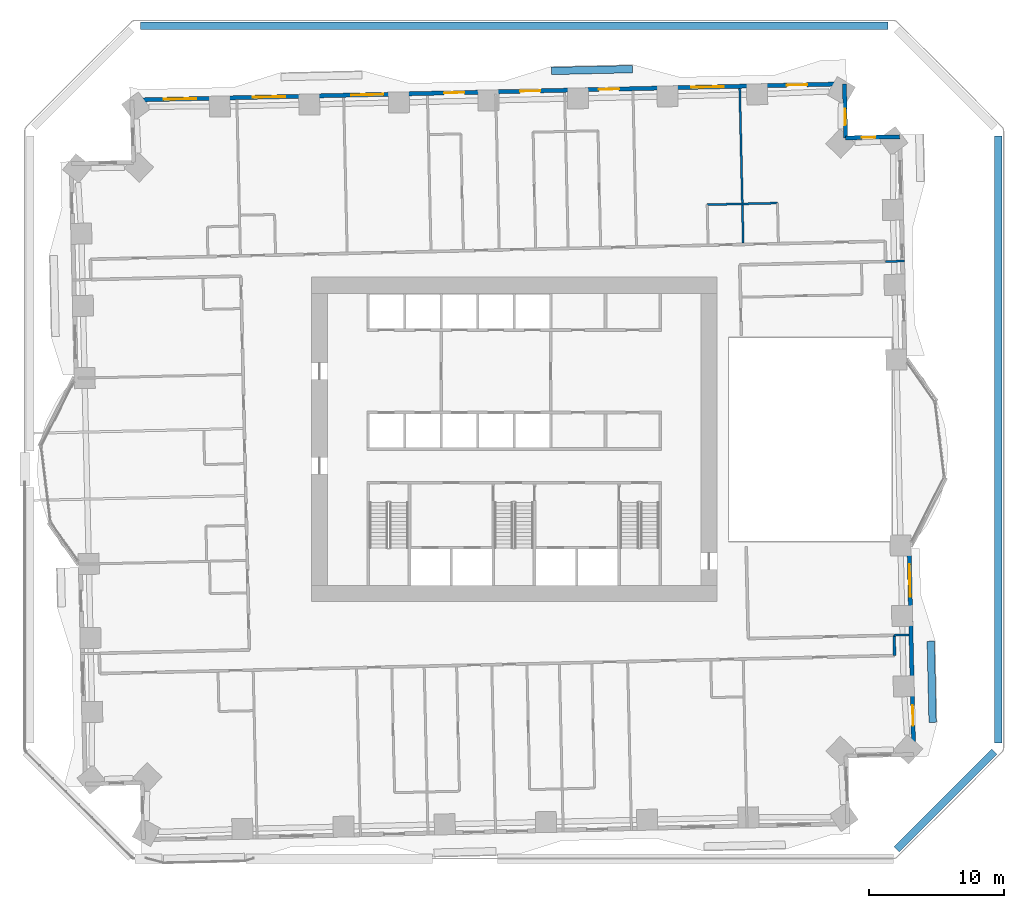
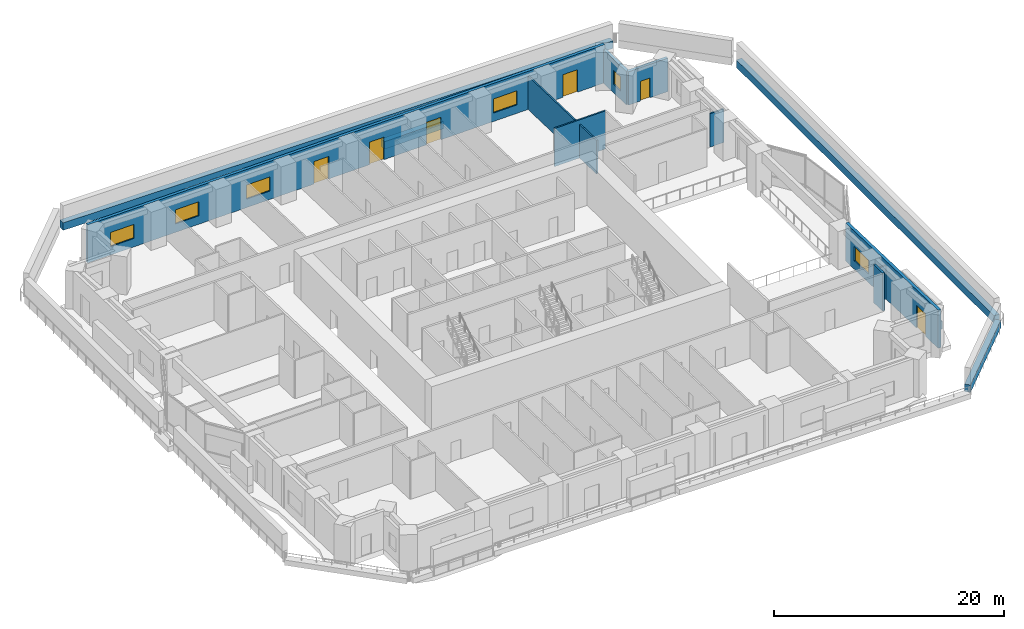
# One storey, part 16 of 21: 14 walls, 6 doors, 6 windows, 12 openings.
"""IFC4 building model written with IfcOpenShell, lengths in metres."""

from ifc_helpers import new_model, si_unit, direction, frame, frame_2d, origin, place, context, subcontext, project, spatial, rectangle, extrude, material, layer, layer_set, type_object, element, fill, save


model = new_model("IFC4")

# Units and contexts
model_context = context("Model", 3, precision=1e-05, world=origin(), true_north=direction((0.0, 1.0)))
body_context = subcontext(model_context, "Body", "Model", "MODEL_VIEW")
ifc_project = project(units=[si_unit("LENGTHUNIT", "METRE"), si_unit("AREAUNIT", "SQUARE_METRE"), si_unit("VOLUMEUNIT", "CUBIC_METRE"), si_unit("PLANEANGLEUNIT", "RADIAN"), si_unit("MASSUNIT", "GRAM", prefix="KILO")], contexts=[model_context])

# Site, building, storey
site_placement = place(None, origin())
site = spatial("IfcSite", under=ifc_project, at=site_placement, CompositionType="ELEMENT")
building_placement = place(site_placement, origin())
building = spatial("IfcBuilding", under=site, at=building_placement, Name="Mangrove Gate Tower", CompositionType="ELEMENT")
storey_placement = place(building_placement, frame((0.0, 0.0, 29.5)))
storey = spatial("IfcBuildingStorey", under=building, at=storey_placement, Name="L06", CompositionType="ELEMENT", Elevation=29.5)

# Wall
ifc_material_1 = material(Name="Gypsum board on steel stud, EI 60", Category="steel")
ifc_layer_1 = layer(ifc_material_1, 0.199951171875)
ifc_layer_set_1 = layer_set([ifc_layer_1], Name="Corridor wall EI 60")
wall_type_1 = type_object("IfcWallType", Name="Corridor wall EI 60", PredefinedType="PARTITIONING", material=ifc_layer_set_1)
wall_1_placement = place(storey_placement, frame((28.133056640625, -15.97900390625, 0.0), z_axis=(0.0, 0.0, 1.0), x_axis=(-0.022632637625, 0.99974384905, 0.0)))
element("IfcWall", 1, at=wall_1_placement, inside=storey, type_object=wall_type_1, Name="WALL-L06-020", PredefinedType="PARTITIONING", context=body_context, shape_type="SweptSolid", body=[
    extrude(rectangle(XDim=1.49951171875, YDim=0.199951171875, at=frame_2d((0.749755859375, 0.0))), origin(), (0.0, 0.0, 1.0), 4.050048828125),
])

# Wall, openings, door, window
ifc_material_2 = material(Name="Limestone", Category="masonry")
ifc_layer_2 = layer(ifc_material_2, 0.0400390625, Name="Limestone cladding")
ifc_material_3 = material(Name="Ventilated air gap")
ifc_layer_3 = layer(ifc_material_3, 0.0400390625, Name="Ventilated cavity")
ifc_material_4 = material(Name="Mineral wool insulation")
ifc_layer_4 = layer(ifc_material_4, 0.06005859375, Name="Insulation")
ifc_material_5 = material(Name="Breather membrane")
ifc_layer_5 = layer(ifc_material_5, 0.001953125, Name="Breather membrane")
ifc_material_6 = material(Name="Concrete C20/25 blockwork", Category="masonry")
ifc_layer_6 = layer(ifc_material_6, 0.14990234375, Name="Blockwork backing wall")
ifc_material_7 = material(Name="Gypsum plaster")
ifc_layer_7 = layer(ifc_material_7, 0.008056640625, Name="Internal plaster")
ifc_layer_set_2 = layer_set([ifc_layer_2, ifc_layer_3, ifc_layer_4, ifc_layer_5, ifc_layer_6, ifc_layer_7], Name="External wall 300 limestone cladding")
wall_type_2 = type_object("IfcWallType", Name="External wall 300 limestone cladding", PredefinedType="SOLIDWALL", material=ifc_layer_set_2)
wall_2_placement = place(storey_placement, frame((29.549072265625, -23.299072265625, 0.0), z_axis=(0.0, 0.0, 1.0), x_axis=(-0.022670336976, 0.999742994885, 0.0)))
wall_2 = element("IfcWall", 2, at=wall_2_placement, inside=storey, type_object=wall_type_2, Name="WALL-L06-E0", PredefinedType="SOLIDWALL", context=body_context, shape_type="SweptSolid", body=[
    extrude(rectangle(XDim=15.529052734375, YDim=0.300048828125, at=frame_2d((7.7646484375, 0.0))), origin(), (0.0, 0.0, 1.0), 4.050048828125),
])
opening_1_placement = place(wall_2_placement, frame((2.133056640625, 0.0, 0.0)))
opening_1 = element("IfcOpeningElement", 3, at=opening_1_placement, cuts=wall_2, Name="Opening BD1", PredefinedType="OPENING", context=body_context, shape_type="SweptSolid", body=[
    extrude(rectangle(XDim=1.5, YDim=2.39990234375, at=frame_2d((0.75, 1.199951171875))), frame((0.0, 0.159912109375, 0.0), z_axis=(0.0, -1.0, 0.0), x_axis=(1.0, 0.0, 0.0)), (0.0, 0.0, 1.0), 0.320068359375),
])
opening_2_placement = place(wall_2_placement, frame((11.669921875, 0.0, 0.89990234375)))
opening_2 = element("IfcOpeningElement", 4, at=opening_2_placement, cuts=wall_2, Name="Opening W2", PredefinedType="OPENING", context=body_context, shape_type="SweptSolid", body=[
    extrude(rectangle(XDim=2.39990234375, YDim=1.5, at=frame_2d((1.199951171875, 0.75))), frame((0.0, 0.159912109375, 0.0), z_axis=(0.0, -1.0, 0.0), x_axis=(1.0, 0.0, 0.0)), (0.0, 0.0, 1.0), 0.320068359375),
])
ifc_material_8 = material(Name="Aluminium frame with laminated clear glass", Category="aluminium")
door_type_1 = type_object("IfcDoorType", Name="Balcony sliding door 1500x2400", OperationType="SLIDING_TO_LEFT", PredefinedType="DOOR", material=ifc_material_8)
door_1_placement = place(opening_1_placement, origin())
door_1 = element("IfcDoor", 5, at=door_1_placement, inside=storey, type_object=door_type_1, Name="DOOR-L06-E0-1", OperationType="SLIDING_TO_LEFT", OverallHeight=2.39990234375, OverallWidth=1.5, PredefinedType="DOOR", context=body_context, shape_type="SweptSolid", body=[
    extrude(rectangle(XDim=1.5, YDim=2.39990234375, at=frame_2d((0.75, 1.199951171875))), frame((0.0, 0.02490234375, 0.0), z_axis=(0.0, -1.0, 0.0), x_axis=(1.0, 0.0, 0.0)), (0.0, 0.0, 1.0), 0.050048828125),
])
fill(opening_1, door_1)
ifc_material_9 = material(Name="Aluminium frame with double-glazed low-e glass", Category="aluminium")
window_type_1 = type_object("IfcWindowType", Name="Corner room window 2400x1500", PartitioningType="DOUBLE_PANEL_VERTICAL", PredefinedType="WINDOW", material=ifc_material_9)
window_1_placement = place(opening_2_placement, origin())
window_1 = element("IfcWindow", 6, at=window_1_placement, inside=storey, type_object=window_type_1, Name="WIN-L06-E0-2", OverallHeight=1.5, OverallWidth=2.39990234375, PartitioningType="DOUBLE_PANEL_VERTICAL", PredefinedType="WINDOW", context=body_context, shape_type="SweptSolid", body=[
    extrude(rectangle(XDim=2.39990234375, YDim=1.5, at=frame_2d((1.199951171875, 0.75))), frame((0.0, 0.030029296875, 0.0), z_axis=(0.0, -1.0, 0.0), x_axis=(1.0, 0.0, 0.0)), (0.0, 0.0, 1.0), 0.06005859375),
])
fill(opening_2, window_1)

# Wall, opening, door
wall_3_placement = place(storey_placement, frame((28.511962890625, 22.388916015625, 0.0), z_axis=(0.0, 0.0, 1.0), x_axis=(-0.999747725427, -0.022460754759, 0.0)))
wall_3 = element("IfcWall", 7, at=wall_3_placement, inside=storey, type_object=wall_type_2, Name="WALL-L06-N3", PredefinedType="SOLIDWALL", context=body_context, shape_type="SweptSolid", body=[
    extrude(rectangle(XDim=4.0, YDim=0.300048828125, at=frame_2d((2.0, 0.0))), origin(), (0.0, 0.0, 1.0), 3.550048828125),
])
opening_3_placement = place(wall_3_placement, frame((1.800048828125, 0.0, 0.0)))
opening_3 = element("IfcOpeningElement", 8, at=opening_3_placement, cuts=wall_3, Name="Opening MD1", PredefinedType="OPENING", context=body_context, shape_type="SweptSolid", body=[
    extrude(rectangle(XDim=1.0, YDim=2.10009765625, at=frame_2d((0.5, 1.050048828125))), frame((0.0, 0.159912109375, 0.0), z_axis=(0.0, -1.0, 0.0), x_axis=(1.0, 0.0, 0.0)), (0.0, 0.0, 1.0), 0.320068359375),
])
ifc_material_10 = material(Name="Aluminium frame with laminated clear glass", Category="aluminium")
door_type_2 = type_object("IfcDoorType", Name="Roof maintenance door 1000x2100", OperationType="SINGLE_SWING_LEFT", PredefinedType="DOOR", material=ifc_material_10)
door_2_placement = place(opening_3_placement, origin())
door_2 = element("IfcDoor", 9, at=door_2_placement, inside=storey, type_object=door_type_2, Name="DOOR-L06-N3-1", OperationType="SINGLE_SWING_LEFT", OverallHeight=2.10009765625, OverallWidth=1.0, PredefinedType="DOOR", context=body_context, shape_type="SweptSolid", body=[
    extrude(rectangle(XDim=1.0, YDim=2.10009765625, at=frame_2d((0.5, 1.050048828125))), frame((0.0, 0.02490234375, 0.0), z_axis=(0.0, -1.0, 0.0), x_axis=(1.0, 0.0, 0.0)), (0.0, 0.0, 1.0), 0.050048828125),
])
fill(opening_3, door_2)

# Wall, opening, window
wall_4_placement = place(storey_placement, frame((24.512939453125, 22.299072265625, 0.0), z_axis=(0.0, 0.0, 1.0), x_axis=(-0.022460754759, 0.999747725427, 0.0)))
wall_4 = element("IfcWall", 10, at=wall_4_placement, inside=storey, type_object=wall_type_2, Name="WALL-L06-E4", PredefinedType="SOLIDWALL", context=body_context, shape_type="SweptSolid", body=[
    extrude(rectangle(XDim=4.0, YDim=0.300048828125, at=frame_2d((2.0, 0.0))), origin(), (0.0, 0.0, 1.0), 3.550048828125),
])
opening_4_placement = place(wall_4_placement, frame((0.9599609375, 0.0, 0.89990234375)))
opening_4 = element("IfcOpeningElement", 11, at=opening_4_placement, cuts=wall_4, Name="Opening W1", PredefinedType="OPENING", context=body_context, shape_type="SweptSolid", body=[
    extrude(rectangle(XDim=1.199951171875, YDim=1.5, at=frame_2d((0.60009765625, 0.75))), frame((0.0, 0.159912109375, 0.0), z_axis=(0.0, -1.0, 0.0), x_axis=(1.0, 0.0, 0.0)), (0.0, 0.0, 1.0), 0.320068359375),
])
ifc_material_11 = material(Name="Aluminium frame with double-glazed low-e glass", Category="aluminium")
window_type_2 = type_object("IfcWindowType", Name="Side lite 1200x1500", PartitioningType="SINGLE_PANEL", PredefinedType="WINDOW", material=ifc_material_11)
window_2_placement = place(opening_4_placement, origin())
window_2 = element("IfcWindow", 12, at=window_2_placement, inside=storey, type_object=window_type_2, Name="WIN-L06-E4-1", OverallHeight=1.5, OverallWidth=1.199951171875, PartitioningType="SINGLE_PANEL", PredefinedType="WINDOW", context=body_context, shape_type="SweptSolid", body=[
    extrude(rectangle(XDim=1.199951171875, YDim=1.5, at=frame_2d((0.60009765625, 0.75))), frame((0.0, 0.030029296875, 0.0), z_axis=(0.0, -1.0, 0.0), x_axis=(1.0, 0.0, 0.0)), (0.0, 0.0, 1.0), 0.06005859375),
])
fill(opening_4, window_2)

# Wall, openings, doors, windows
wall_5_placement = place(storey_placement, frame((24.423095703125, 26.298095703125, 0.0), z_axis=(0.0, 0.0, 1.0), x_axis=(-0.999742433108, -0.022695097355, 0.0)))
wall_5 = element("IfcWall", 13, at=wall_5_placement, inside=storey, type_object=wall_type_2, Name="WALL-L06-N5", PredefinedType="SOLIDWALL", context=body_context, shape_type="SweptSolid", body=[
    extrude(rectangle(XDim=52.70068359375, YDim=0.300048828125, at=frame_2d((26.350341796875, 0.0))), origin(), (0.0, 0.0, 1.0), 4.050048828125),
])
opening_5_placement = place(wall_5_placement, frame((2.757080078125, 0.0, 0.0)))
opening_5 = element("IfcOpeningElement", 14, at=opening_5_placement, cuts=wall_5, Name="Opening BD1", PredefinedType="OPENING", context=body_context, shape_type="SweptSolid", body=[
    extrude(rectangle(XDim=1.5, YDim=2.39990234375, at=frame_2d((0.75, 1.199951171875))), frame((0.0, 0.159912109375, 0.0), z_axis=(0.0, -1.0, 0.0), x_axis=(1.0, 0.0, 0.0)), (0.0, 0.0, 1.0), 0.320068359375),
])
opening_6_placement = place(wall_5_placement, frame((8.93701171875, 0.0, 0.89990234375)))
opening_6 = element("IfcOpeningElement", 15, at=opening_6_placement, cuts=wall_5, Name="Opening W2", PredefinedType="OPENING", context=body_context, shape_type="SweptSolid", body=[
    extrude(rectangle(XDim=2.39990234375, YDim=1.5, at=frame_2d((1.199951171875, 0.75))), frame((0.0, 0.159912109375, 0.0), z_axis=(0.0, -1.0, 0.0), x_axis=(1.0, 0.0, 0.0)), (0.0, 0.0, 1.0), 0.320068359375),
])
opening_7_placement = place(wall_5_placement, frame((16.675048828125, 0.0, 0.0)))
opening_7 = element("IfcOpeningElement", 16, at=opening_7_placement, cuts=wall_5, Name="Opening BD1", PredefinedType="OPENING", context=body_context, shape_type="SweptSolid", body=[
    extrude(rectangle(XDim=1.5, YDim=2.39990234375, at=frame_2d((0.75, 1.199951171875))), frame((0.0, 0.159912109375, 0.0), z_axis=(0.0, -1.0, 0.0), x_axis=(1.0, 0.0, 0.0)), (0.0, 0.0, 1.0), 0.320068359375),
])
opening_8_placement = place(wall_5_placement, frame((22.5, 0.0, 0.0)))
opening_8 = element("IfcOpeningElement", 17, at=opening_8_placement, cuts=wall_5, Name="Opening BD1", PredefinedType="OPENING", context=body_context, shape_type="SweptSolid", body=[
    extrude(rectangle(XDim=1.5, YDim=2.39990234375, at=frame_2d((0.75, 1.199951171875))), frame((0.0, 0.159912109375, 0.0), z_axis=(0.0, -1.0, 0.0), x_axis=(1.0, 0.0, 0.0)), (0.0, 0.0, 1.0), 0.320068359375),
])
opening_9_placement = place(wall_5_placement, frame((28.113037109375, 0.0, 0.0)))
opening_9 = element("IfcOpeningElement", 18, at=opening_9_placement, cuts=wall_5, Name="Opening BD1", PredefinedType="OPENING", context=body_context, shape_type="SweptSolid", body=[
    extrude(rectangle(XDim=1.5, YDim=2.39990234375, at=frame_2d((0.75, 1.199951171875))), frame((0.0, 0.159912109375, 0.0), z_axis=(0.0, -1.0, 0.0), x_axis=(1.0, 0.0, 0.0)), (0.0, 0.0, 1.0), 0.320068359375),
])
opening_10_placement = place(wall_5_placement, frame((34.10009765625, 0.0, 0.89990234375)))
opening_10 = element("IfcOpeningElement", 19, at=opening_10_placement, cuts=wall_5, Name="Opening W2", PredefinedType="OPENING", context=body_context, shape_type="SweptSolid", body=[
    extrude(rectangle(XDim=2.39990234375, YDim=1.5, at=frame_2d((1.199951171875, 0.75))), frame((0.0, 0.159912109375, 0.0), z_axis=(0.0, -1.0, 0.0), x_axis=(1.0, 0.0, 0.0)), (0.0, 0.0, 1.0), 0.320068359375),
])
opening_11_placement = place(wall_5_placement, frame((41.363037109375, 0.0, 0.89990234375)))
opening_11 = element("IfcOpeningElement", 20, at=opening_11_placement, cuts=wall_5, Name="Opening W2", PredefinedType="OPENING", context=body_context, shape_type="SweptSolid", body=[
    extrude(rectangle(XDim=2.39990234375, YDim=1.5, at=frame_2d((1.199951171875, 0.75))), frame((0.0, 0.159912109375, 0.0), z_axis=(0.0, -1.0, 0.0), x_axis=(1.0, 0.0, 0.0)), (0.0, 0.0, 1.0), 0.320068359375),
])
opening_12_placement = place(wall_5_placement, frame((47.965087890625, 0.0, 0.89990234375)))
opening_12 = element("IfcOpeningElement", 21, at=opening_12_placement, cuts=wall_5, Name="Opening W2", PredefinedType="OPENING", context=body_context, shape_type="SweptSolid", body=[
    extrude(rectangle(XDim=2.39990234375, YDim=1.5, at=frame_2d((1.199951171875, 0.75))), frame((0.0, 0.159912109375, 0.0), z_axis=(0.0, -1.0, 0.0), x_axis=(1.0, 0.0, 0.0)), (0.0, 0.0, 1.0), 0.320068359375),
])
door_3_placement = place(opening_5_placement, origin())
door_3 = element("IfcDoor", 22, at=door_3_placement, inside=storey, type_object=door_type_1, Name="DOOR-L06-N5-1", OperationType="SLIDING_TO_LEFT", OverallHeight=2.39990234375, OverallWidth=1.5, PredefinedType="DOOR", context=body_context, shape_type="SweptSolid", body=[
    extrude(rectangle(XDim=1.5, YDim=2.39990234375, at=frame_2d((0.75, 1.199951171875))), frame((0.0, 0.02490234375, 0.0), z_axis=(0.0, -1.0, 0.0), x_axis=(1.0, 0.0, 0.0)), (0.0, 0.0, 1.0), 0.050048828125),
])
fill(opening_5, door_3)
door_4_placement = place(opening_7_placement, origin())
door_4 = element("IfcDoor", 23, at=door_4_placement, inside=storey, type_object=door_type_1, Name="DOOR-L06-N5-3", OperationType="SLIDING_TO_LEFT", OverallHeight=2.39990234375, OverallWidth=1.5, PredefinedType="DOOR", context=body_context, shape_type="SweptSolid", body=[
    extrude(rectangle(XDim=1.5, YDim=2.39990234375, at=frame_2d((0.75, 1.199951171875))), frame((0.0, 0.02490234375, 0.0), z_axis=(0.0, -1.0, 0.0), x_axis=(1.0, 0.0, 0.0)), (0.0, 0.0, 1.0), 0.050048828125),
])
fill(opening_7, door_4)
door_5_placement = place(opening_8_placement, origin())
door_5 = element("IfcDoor", 24, at=door_5_placement, inside=storey, type_object=door_type_1, Name="DOOR-L06-N5-4", OperationType="SLIDING_TO_LEFT", OverallHeight=2.39990234375, OverallWidth=1.5, PredefinedType="DOOR", context=body_context, shape_type="SweptSolid", body=[
    extrude(rectangle(XDim=1.5, YDim=2.39990234375, at=frame_2d((0.75, 1.199951171875))), frame((0.0, 0.02490234375, 0.0), z_axis=(0.0, -1.0, 0.0), x_axis=(1.0, 0.0, 0.0)), (0.0, 0.0, 1.0), 0.050048828125),
])
fill(opening_8, door_5)
door_6_placement = place(opening_9_placement, origin())
door_6 = element("IfcDoor", 25, at=door_6_placement, inside=storey, type_object=door_type_1, Name="DOOR-L06-N5-5", OperationType="SLIDING_TO_LEFT", OverallHeight=2.39990234375, OverallWidth=1.5, PredefinedType="DOOR", context=body_context, shape_type="SweptSolid", body=[
    extrude(rectangle(XDim=1.5, YDim=2.39990234375, at=frame_2d((0.75, 1.199951171875))), frame((0.0, 0.02490234375, 0.0), z_axis=(0.0, -1.0, 0.0), x_axis=(1.0, 0.0, 0.0)), (0.0, 0.0, 1.0), 0.050048828125),
])
fill(opening_9, door_6)
window_3_placement = place(opening_6_placement, origin())
window_3 = element("IfcWindow", 26, at=window_3_placement, inside=storey, type_object=window_type_1, Name="WIN-L06-N5-2", OverallHeight=1.5, OverallWidth=2.39990234375, PartitioningType="DOUBLE_PANEL_VERTICAL", PredefinedType="WINDOW", context=body_context, shape_type="SweptSolid", body=[
    extrude(rectangle(XDim=2.39990234375, YDim=1.5, at=frame_2d((1.199951171875, 0.75))), frame((0.0, 0.030029296875, 0.0), z_axis=(0.0, -1.0, 0.0), x_axis=(1.0, 0.0, 0.0)), (0.0, 0.0, 1.0), 0.06005859375),
])
fill(opening_6, window_3)
window_4_placement = place(opening_10_placement, origin())
window_4 = element("IfcWindow", 27, at=window_4_placement, inside=storey, type_object=window_type_1, Name="WIN-L06-N5-6", OverallHeight=1.5, OverallWidth=2.39990234375, PartitioningType="DOUBLE_PANEL_VERTICAL", PredefinedType="WINDOW", context=body_context, shape_type="SweptSolid", body=[
    extrude(rectangle(XDim=2.39990234375, YDim=1.5, at=frame_2d((1.199951171875, 0.75))), frame((0.0, 0.030029296875, 0.0), z_axis=(0.0, -1.0, 0.0), x_axis=(1.0, 0.0, 0.0)), (0.0, 0.0, 1.0), 0.06005859375),
])
fill(opening_10, window_4)
window_5_placement = place(opening_11_placement, origin())
window_5 = element("IfcWindow", 28, at=window_5_placement, inside=storey, type_object=window_type_1, Name="WIN-L06-N5-7", OverallHeight=1.5, OverallWidth=2.39990234375, PartitioningType="DOUBLE_PANEL_VERTICAL", PredefinedType="WINDOW", context=body_context, shape_type="SweptSolid", body=[
    extrude(rectangle(XDim=2.39990234375, YDim=1.5, at=frame_2d((1.199951171875, 0.75))), frame((0.0, 0.030029296875, 0.0), z_axis=(0.0, -1.0, 0.0), x_axis=(1.0, 0.0, 0.0)), (0.0, 0.0, 1.0), 0.06005859375),
])
fill(opening_11, window_5)
window_6_placement = place(opening_12_placement, origin())
window_6 = element("IfcWindow", 29, at=window_6_placement, inside=storey, type_object=window_type_1, Name="WIN-L06-N5-8", OverallHeight=1.5, OverallWidth=2.39990234375, PartitioningType="DOUBLE_PANEL_VERTICAL", PredefinedType="WINDOW", context=body_context, shape_type="SweptSolid", body=[
    extrude(rectangle(XDim=2.39990234375, YDim=1.5, at=frame_2d((1.199951171875, 0.75))), frame((0.0, 0.030029296875, 0.0), z_axis=(0.0, -1.0, 0.0), x_axis=(1.0, 0.0, 0.0)), (0.0, 0.0, 1.0), 0.06005859375),
])
fill(opening_12, window_6)

# Walls
ifc_material_12 = material(Name="Gypsum board on steel stud, EI 60", Category="steel")
ifc_layer_8 = layer(ifc_material_12, 0.14990234375)
ifc_layer_set_3 = layer_set([ifc_layer_8], Name="Party wall 150 EI 60")
wall_type_3 = type_object("IfcWallType", Name="Party wall 150 EI 60", PredefinedType="PARTITIONING", material=ifc_layer_set_3)
wall_6_placement = place(storey_placement, frame((28.094970703125, -14.47998046875, 0.0), z_axis=(0.0, 0.0, 1.0), x_axis=(0.999745251335, 0.022570609924, 0.0)))
element("IfcWall", 30, at=wall_6_placement, inside=storey, type_object=wall_type_3, Name="WALL-L06-026", PredefinedType="PARTITIONING", context=body_context, shape_type="SweptSolid", body=[
    extrude(rectangle(XDim=1.103271484375, YDim=0.14990234375, at=frame_2d((0.5517578125, 0.0))), origin(), (0.0, 0.0, 1.0), 3.550048828125),
])
wall_7_placement = place(storey_placement, frame((27.470947265625, 13.1630859375, 0.0), z_axis=(0.0, 0.0, 1.0), x_axis=(0.999739219063, 0.022836240226, 0.0)))
element("IfcWall", 31, at=wall_7_placement, inside=storey, type_object=wall_type_3, Name="WALL-L06-046", PredefinedType="PARTITIONING", context=body_context, shape_type="SweptSolid", body=[
    extrude(rectangle(XDim=1.400390625, YDim=0.14990234375, at=frame_2d((0.7001953125, 0.0))), origin(), (0.0, 0.0, 1.0), 3.550048828125),
])
wall_8_placement = place(storey_placement, frame((16.93798828125, 14.52490234375, 0.0), z_axis=(0.0, 0.0, 1.0), x_axis=(-0.022708327922, 0.999742132674, 0.0)))
element("IfcWall", 32, at=wall_8_placement, inside=storey, type_object=wall_type_3, Name="WALL-L06-061", PredefinedType="PARTITIONING", context=body_context, shape_type="SweptSolid", body=[
    extrude(rectangle(XDim=11.449951171875, YDim=0.14990234375, at=frame_2d((5.72509765625, 0.0))), origin(), (0.0, 0.0, 1.0), 3.550048828125),
])
wall_9_placement = place(storey_placement, frame((14.27294921875, 17.364990234375, 0.0), z_axis=(0.0, 0.0, 1.0), x_axis=(0.999742780105, 0.022679806622, 0.0)))
element("IfcWall", 33, at=wall_9_placement, inside=storey, type_object=wall_type_3, Name="WALL-L06-065", PredefinedType="PARTITIONING", context=body_context, shape_type="SweptSolid", body=[
    extrude(rectangle(XDim=5.19921875, YDim=0.14990234375, at=frame_2d((2.599609375, 0.0))), origin(), (0.0, 0.0, 1.0), 4.050048828125),
])
ifc_material_13 = material(Name="Concrete C32/40", Category="concrete")
ifc_layer_9 = layer(ifc_material_13, 0.199951171875, Name="Planter trough wall")
ifc_material_14 = material(Name="Bituminous waterproofing membrane")
ifc_layer_10 = layer(ifc_material_14, 0.0048828125, Name="Waterproofing")
ifc_material_15 = material(Name="Drainage board and gravel")
ifc_layer_11 = layer(ifc_material_15, 0.044921875, Name="Drainage layer")
ifc_material_16 = material(Name="Planting soil")
ifc_layer_12 = layer(ifc_material_16, 0.300048828125, Name="Growing medium")
ifc_layer_set_4 = layer_set([ifc_layer_9, ifc_layer_10, ifc_layer_11, ifc_layer_12], Name="Planter wall 550 C32/40")
wall_type_4 = type_object("IfcWallType", Name="Planter wall 550 C32/40", PredefinedType="USERDEFINED", material=ifc_layer_set_4)
wall_10_placement = place(storey_placement, frame((30.945068359375, -20.9169921875, 0.0), z_axis=(0.0, 0.0, 1.0), x_axis=(-0.022665943652, 0.999743094499, 0.0)))
element("IfcWall", 34, at=wall_10_placement, inside=storey, type_object=wall_type_4, Name="PLANTER L06 E0.1", ObjectType="PLANTER", PredefinedType="USERDEFINED", context=body_context, shape_type="SweptSolid", body=[
    extrude(rectangle(XDim=5.99951171875, YDim=0.550048828125, at=frame_2d((2.999755859375, 0.0))), origin(), (0.0, 0.0, 1.0), 0.800048828125),
])
wall_11_placement = place(storey_placement, frame((2.74609375, 27.256103515625, 0.0), z_axis=(0.0, 0.0, 1.0), x_axis=(0.999743073592, 0.022666865795, 0.0)))
element("IfcWall", 35, at=wall_11_placement, inside=storey, type_object=wall_type_4, Name="PLANTER L06 N0.1", ObjectType="PLANTER", PredefinedType="USERDEFINED", context=body_context, shape_type="SweptSolid", body=[
    extrude(rectangle(XDim=5.999267578125, YDim=0.550048828125, at=frame_2d((2.99951171875, 0.0))), origin(), (0.0, 0.0, 1.0), 0.800048828125),
])
wall_12_placement = place(storey_placement, frame((-27.64306640625, 30.5849609375, 0.0), z_axis=(0.0, 0.0, 1.0), x_axis=(1.0, 0.0, 0.0)))
element("IfcWall", 36, at=wall_12_placement, inside=storey, type_object=wall_type_4, Name="PLANTER L06 T2.1.24", ObjectType="PLANTER", PredefinedType="USERDEFINED", context=body_context, shape_type="SweptSolid", body=[
    extrude(rectangle(XDim=55.2861328125, YDim=0.550048828125, at=frame_2d((27.64306640625, 0.0))), origin(), (0.0, 0.0, 1.0), 0.800048828125),
])
wall_13_placement = place(storey_placement, frame((35.784912109375, 22.443115234375, 0.0), z_axis=(0.0, 0.0, 1.0), x_axis=(0.0, -1.0, 0.0)))
element("IfcWall", 37, at=wall_13_placement, inside=storey, type_object=wall_type_4, Name="PLANTER L06 T2.1.42", ObjectType="PLANTER", PredefinedType="USERDEFINED", context=body_context, shape_type="SweptSolid", body=[
    extrude(rectangle(XDim=44.88623046875, YDim=0.550048828125, at=frame_2d((22.443115234375, 0.0))), origin(), (0.0, 0.0, 1.0), 0.800048828125),
])
wall_14_placement = place(storey_placement, frame((35.512939453125, -23.10009765625, 0.0), z_axis=(0.0, 0.0, 1.0), x_axis=(-0.707106781187, -0.707106781187, 0.0)))
element("IfcWall", 38, at=wall_14_placement, inside=storey, type_object=wall_type_4, Name="PLANTER L06 T2.1.51", ObjectType="PLANTER", PredefinedType="USERDEFINED", context=body_context, shape_type="SweptSolid", body=[
    extrude(rectangle(XDim=10.20068359375, YDim=0.550048828125, at=frame_2d((5.100341796875, 0.0))), origin(), (0.0, 0.0, 1.0), 0.800048828125),
])

save(model, "model.ifc")
